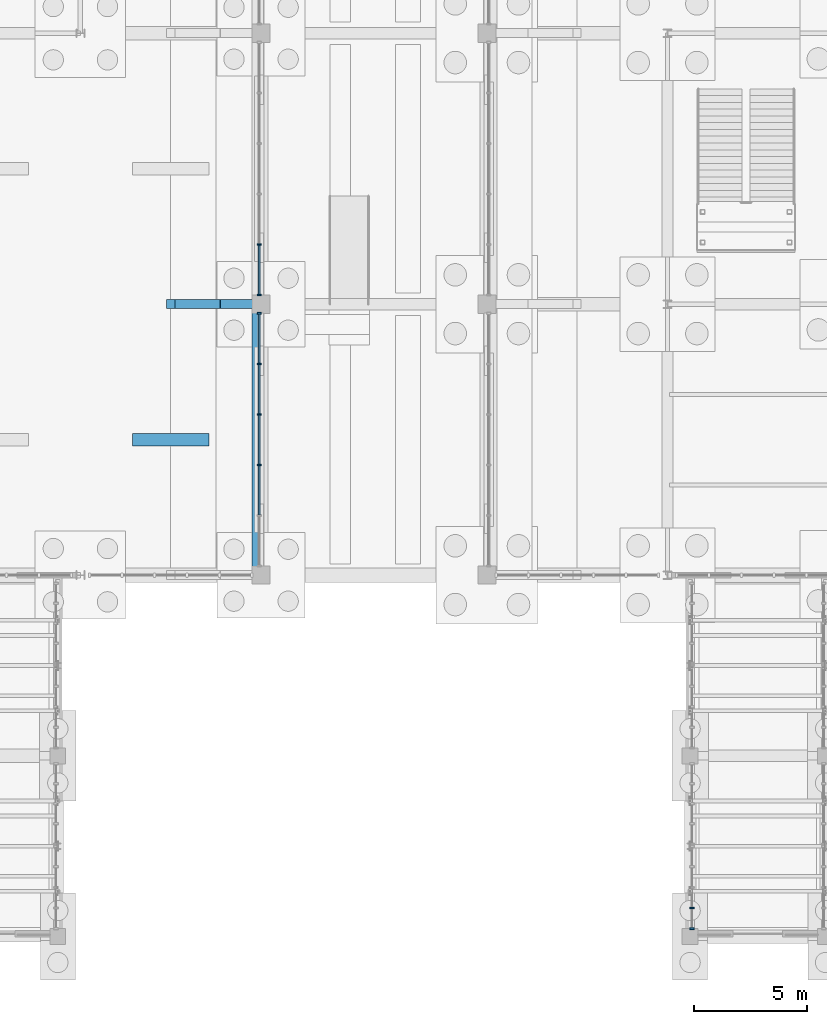
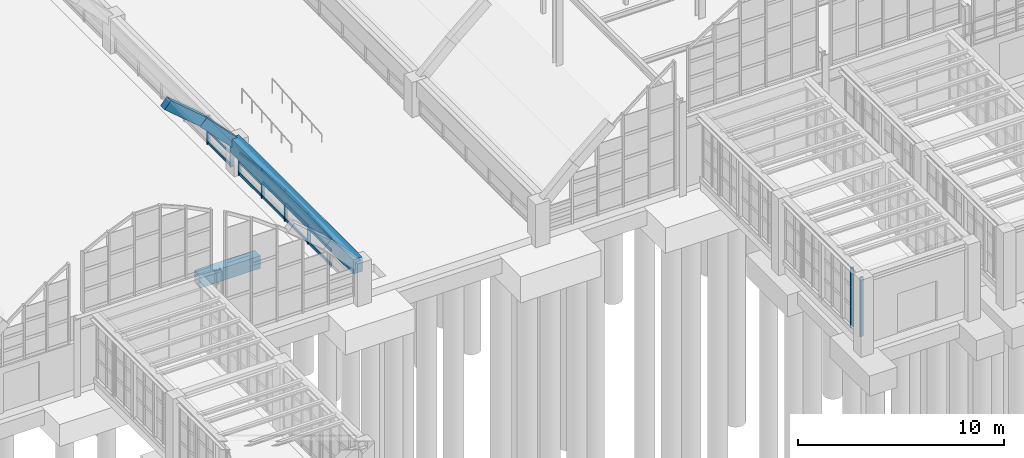
# One storey, part 36 of 129: 23 members, 4 beams, 3 elements without a shape of their own.
"""IFC4 building model written with IfcOpenShell, lengths in metres."""

from ifc_helpers import new_model, si_unit, direction, frame, origin, origin_2d, place, context, subcontext, project, spatial, rectangle, extrude, material, layer, layer_set, material_profile, profile_set, type_object, element, aggregate, save


model = new_model("IFC4")

# Units and contexts
model_context = context("Model", 3, precision=1e-05, world=origin(), true_north=direction((0.0, 1.0)))
body_context = subcontext(model_context, "Body", "Model", "MODEL_VIEW")
ifc_project = project(units=[si_unit("LENGTHUNIT", "METRE"), si_unit("AREAUNIT", "SQUARE_METRE"), si_unit("VOLUMEUNIT", "CUBIC_METRE"), si_unit("PLANEANGLEUNIT", "RADIAN"), si_unit("MASSUNIT", "GRAM", prefix="KILO")], contexts=[model_context])

# Site, building, storey
site_placement = place(None, origin())
site = spatial("IfcSite", under=ifc_project, at=site_placement, CompositionType="ELEMENT")
building_placement = place(site_placement, origin())
building = spatial("IfcBuilding", under=site, at=building_placement, Name="Sitalva Quay Ferry Terminal", CompositionType="ELEMENT")
storey_placement = place(building_placement, origin())
storey = spatial("IfcBuildingStorey", under=building, at=storey_placement, Name="L01", CompositionType="ELEMENT", Elevation=0.0)

# Beams
ifc_material_1 = material(Name="Concrete C40/50", Category="concrete")
ifc_material_profile_1 = material_profile(ifc_material_1, rectangle(XDim=0.39990234375, YDim=0.550048828125, at=origin_2d()), Name="RC400x550")
ifc_profile_set_1 = profile_set([ifc_material_profile_1], Name="Concrete C40/50")
beam_type_1 = type_object("IfcBeamType", Name="Beam_Arch_RC400x550", PredefinedType="BEAM", material=ifc_profile_set_1)
beam_1_placement = place(storey_placement, frame((28.0, 18.0, 5.392822265625), z_axis=(0.761351968138, 0.0, -0.648338785368), x_axis=(0.0, 1.0, 0.0)))
element("IfcBeam", 1, at=beam_1_placement, inside=storey, type_object=beam_type_1, Name="Vault V2 transverse arch rib 2.11", PredefinedType="BEAM", context=body_context, shape_type="SweptSolid", body=[
    extrude(rectangle(XDim=0.39990234375, YDim=0.550048828125, at=origin_2d()), origin(), (0.0, 0.0, 1.0), 2.626953125),
])
beam_2_placement = place(storey_placement, frame((30.0, 18.0, 3.66943359375), z_axis=(0.693983482825, 0.0, -0.719990920475), x_axis=(0.0, 1.0, 0.0)))
element("IfcBeam", 2, at=beam_2_placement, inside=storey, type_object=beam_type_1, Name="Vault V2 transverse arch rib 2.12", PredefinedType="BEAM", context=body_context, shape_type="SweptSolid", body=[
    extrude(rectangle(XDim=0.39990234375, YDim=0.550048828125, at=origin_2d()), origin(), (0.0, 0.0, 1.0), 2.8818359375),
])
ifc_material_2 = material(Name="Concrete C40/50", Category="concrete")
ifc_material_profile_2 = material_profile(ifc_material_2, rectangle(XDim=0.5, YDim=0.85009765625, at=origin_2d()), Name="RC500x850")
ifc_profile_set_2 = profile_set([ifc_material_profile_2], Name="Concrete C40/50")
beam_type_2 = type_object("IfcBeamType", Name="Beam_Edge_RC500x850", PredefinedType="BEAM", material=ifc_profile_set_2)
beam_3_placement = place(storey_placement, frame((31.85009765625, 6.0, 1.675048828125), z_axis=(0.0, 1.0, 0.0), x_axis=(-1.0, 0.0, 0.0)))
element("IfcBeam", 3, at=beam_3_placement, inside=storey, type_object=beam_type_2, Name="Vault V2 longitudinal springing edge beam E bay 1", PredefinedType="BEAM", context=body_context, shape_type="SweptSolid", body=[
    extrude(rectangle(XDim=0.5, YDim=0.85009765625, at=origin_2d()), origin(), (0.0, 0.0, 1.0), 12.0),
])

# Curtain wall, members
ifc_material_3 = material(Name="Anodised Aluminium & Low-E Glazing", Category="aluminium")
ifc_layer_1 = layer(ifc_material_3, 0.159912109375)
ifc_layer_set_1 = layer_set([ifc_layer_1], Name="Anodised Aluminium & Low-E Glazing")
curtain_wall_type_1 = type_object("IfcCurtainWallType", Name="CW_VaultArch_Glazed", PredefinedType="USERDEFINED", material=ifc_layer_set_1)
curtain_wall_1_placement = place(storey_placement, origin())
curtain_wall_1 = element("IfcCurtainWall", 4, at=curtain_wall_1_placement, inside=storey, type_object=curtain_wall_type_1, Name="V2-E shallow-arch base glazing (CW-L01-013)", ObjectType="CURTAIN_WALL", PredefinedType="USERDEFINED")
ifc_material_4 = material(Name="Anodised Aluminium 6063-T6", Category="aluminium")
ifc_material_profile_3 = material_profile(ifc_material_4, rectangle(XDim=0.070068359375, YDim=0.181884765625, at=origin_2d()), Name="ALU70x182")
ifc_profile_set_3 = profile_set([ifc_material_profile_3], Name="Anodised Aluminium 6063-T6")
member_type_1 = type_object("IfcMemberType", Name="Mullion_Alu_65x170", PredefinedType="MULLION", material=ifc_profile_set_3)
member_1_placement = place(storey_placement, frame((31.919921875, 10.8798828125, 0.0), z_axis=(0.0, 0.0, 1.0), x_axis=(0.0, 1.0, 0.0)))
member_1 = element("IfcMember", 5, at=member_1_placement, type_object=member_type_1, Name="CW-L01-013-M2", PredefinedType="MULLION", context=body_context, shape_type="SweptSolid", body=[
    extrude(rectangle(XDim=0.070068359375, YDim=0.181884765625, at=origin_2d()), origin(), (0.0, 0.0, 1.0), 1.86083984375),
])
member_2_placement = place(storey_placement, frame((31.919921875, 13.1201171875, 0.0), z_axis=(0.0, 0.0, 1.0), x_axis=(0.0, 1.0, 0.0)))
member_2 = element("IfcMember", 6, at=member_2_placement, type_object=member_type_1, Name="CW-L01-013-M3", PredefinedType="MULLION", context=body_context, shape_type="SweptSolid", body=[
    extrude(rectangle(XDim=0.070068359375, YDim=0.181884765625, at=origin_2d()), origin(), (0.0, 0.0, 1.0), 1.86083984375),
])
member_3_placement = place(storey_placement, frame((31.919921875, 15.360107421875, 0.0), z_axis=(0.0, 0.0, 1.0), x_axis=(0.0, 1.0, 0.0)))
member_3 = element("IfcMember", 7, at=member_3_placement, type_object=member_type_1, Name="CW-L01-013-M4", PredefinedType="MULLION", context=body_context, shape_type="SweptSolid", body=[
    extrude(rectangle(XDim=0.070068359375, YDim=0.181884765625, at=origin_2d()), origin(), (0.0, 0.0, 1.0), 1.707275390625),
])
member_4_placement = place(storey_placement, frame((31.919921875, 17.60009765625, 0.0), z_axis=(0.0, 0.0, 1.0), x_axis=(0.0, 1.0, 0.0)))
member_4 = element("IfcMember", 8, at=member_4_placement, type_object=member_type_1, Name="CW-L01-013-M5", PredefinedType="MULLION", context=body_context, shape_type="SweptSolid", body=[
    extrude(rectangle(XDim=0.070068359375, YDim=0.181884765625, at=origin_2d()), origin(), (0.0, 0.0, 1.0), 1.39990234375),
])

curtain_wall_2_placement = place(storey_placement, origin())
curtain_wall_2 = element("IfcCurtainWall", 9, at=curtain_wall_2_placement, inside=storey, type_object=curtain_wall_type_1, Name="V2-E shallow-arch base glazing (CW-L01-016)", ObjectType="CURTAIN_WALL", PredefinedType="USERDEFINED")
member_5_placement = place(storey_placement, frame((31.919921875, 18.39990234375, 0.0), z_axis=(0.0, 0.0, 1.0), x_axis=(0.0, 1.0, 0.0)))
member_5 = element("IfcMember", 10, at=member_5_placement, type_object=member_type_1, Name="CW-L01-016-M0", PredefinedType="MULLION", context=body_context, shape_type="SweptSolid", body=[
    extrude(rectangle(XDim=0.070068359375, YDim=0.181884765625, at=origin_2d()), origin(), (0.0, 0.0, 1.0), 1.39990234375),
])
member_6_placement = place(storey_placement, frame((31.919921875, 20.639892578125, 0.0), z_axis=(0.0, 0.0, 1.0), x_axis=(0.0, 1.0, 0.0)))
member_6 = element("IfcMember", 11, at=member_6_placement, type_object=member_type_1, Name="CW-L01-016-M1", PredefinedType="MULLION", context=body_context, shape_type="SweptSolid", body=[
    extrude(rectangle(XDim=0.070068359375, YDim=0.181884765625, at=origin_2d()), origin(), (0.0, 0.0, 1.0), 1.707275390625),
])

ifc_material_5 = material(Name="Anodised Aluminium & Low-E Glazing", Category="aluminium")
ifc_layer_2 = layer(ifc_material_5, 0.159912109375)
ifc_layer_set_2 = layer_set([ifc_layer_2], Name="Anodised Aluminium & Low-E Glazing")
curtain_wall_type_2 = type_object("IfcCurtainWallType", Name="CW_Bridge_Glazed", PredefinedType="USERDEFINED", material=ifc_layer_set_2)
curtain_wall_3_placement = place(storey_placement, origin())
curtain_wall_3 = element("IfcCurtainWall", 12, at=curtain_wall_3_placement, inside=storey, type_object=curtain_wall_type_2, Name="Boarding bridge BB2 W1 side glazing (CW-L01-041)", ObjectType="CURTAIN_WALL", PredefinedType="USERDEFINED")
ifc_material_6 = material(Name="Anodised Aluminium 6063-T6", Category="aluminium")
ifc_material_profile_4 = material_profile(ifc_material_6, rectangle(XDim=0.080078125, YDim=0.18505859375, at=origin_2d()), Name="ALU80x185")
ifc_profile_set_4 = profile_set([ifc_material_profile_4], Name="Anodised Aluminium 6063-T6")
member_type_2 = type_object("IfcMemberType", Name="Mullion_Alu_80x185", PredefinedType="MULLION", material=ifc_profile_set_4)
member_7_placement = place(storey_placement, frame((51.080078125, -9.64990234375, 0.25), z_axis=(0.0, 0.0, 1.0), x_axis=(0.0, 1.0, 0.0)))
member_7 = element("IfcMember", 13, at=member_7_placement, type_object=member_type_2, Name="CW-L01-041-M0", PredefinedType="MULLION", context=body_context, shape_type="SweptSolid", body=[
    extrude(rectangle(XDim=0.080078125, YDim=0.18505859375, at=origin_2d()), origin(), (0.0, 0.0, 1.0), 3.530029296875),
])
member_8_placement = place(storey_placement, frame((51.080078125, -8.737548828125, 0.25), z_axis=(0.0, 0.0, 1.0), x_axis=(0.0, 1.0, 0.0)))
member_8 = element("IfcMember", 14, at=member_8_placement, type_object=member_type_2, Name="CW-L01-041-M1", PredefinedType="MULLION", context=body_context, shape_type="SweptSolid", body=[
    extrude(rectangle(XDim=0.080078125, YDim=0.18505859375, at=origin_2d()), origin(), (0.0, 0.0, 1.0), 3.530029296875),
])
aggregate(curtain_wall_3, [member_7, member_8])

# Beam
ifc_material_7 = material(Name="Concrete C35/45", Category="concrete")
ifc_material_profile_5 = material_profile(ifc_material_7, rectangle(XDim=0.550048828125, YDim=0.75, at=origin_2d()), Name="RC550x750")
ifc_profile_set_5 = profile_set([ifc_material_profile_5], Name="Concrete C35/45")
beam_type_3 = type_object("IfcBeamType", Name="TBeam_Quay_RC550x750", PredefinedType="T_BEAM", material=ifc_profile_set_5)
beam_4_placement = place(storey_placement, frame((26.300048828125, 12.0, -0.824951171875), z_axis=(1.0, 0.0, 0.0), x_axis=(0.0, 1.0, 0.0)))
element("IfcBeam", 15, at=beam_4_placement, inside=storey, type_object=beam_type_3, Name="L01 Quay deck mid-bay T-beam 0037", PredefinedType="T_BEAM", context=body_context, shape_type="SweptSolid", body=[
    extrude(rectangle(XDim=0.550048828125, YDim=0.75, at=origin_2d()), origin(), (0.0, 0.0, 1.0), 3.39990234375),
])

# Member
ifc_material_8 = material(Name="Anodised Aluminium 6063-T6", Category="aluminium")
ifc_material_profile_6 = material_profile(ifc_material_8, rectangle(XDim=0.074951171875, YDim=0.155029296875, at=origin_2d()), Name="ALU75x155")
ifc_profile_set_6 = profile_set([ifc_material_profile_6], Name="Anodised Aluminium 6063-T6")
member_type_3 = type_object("IfcMemberType", Name="Transom_Alu_70x135", PredefinedType="MULLION", material=ifc_profile_set_6)
member_9_placement = place(storey_placement, frame((31.919921875, 8.675048828125, 0.077392578125), z_axis=(0.0, 1.0, 0.0), x_axis=(-1.0, 0.0, 0.0)))
member_9 = element("IfcMember", 16, at=member_9_placement, type_object=member_type_3, Name="CW-L01-013-T1-0", ObjectType="TRANSOM", PredefinedType="USERDEFINED", context=body_context, shape_type="SweptSolid", body=[
    extrude(rectangle(XDim=0.074951171875, YDim=0.155029296875, at=origin_2d()), origin(), (0.0, 0.0, 1.0), 2.169921875),
])

member_10_placement = place(storey_placement, frame((31.919921875, 8.675048828125, 0.93115234375), z_axis=(0.0, 1.0, 0.0), x_axis=(-1.0, 0.0, 0.0)))
member_10 = element("IfcMember", 17, at=member_10_placement, type_object=member_type_3, Name="CW-L01-013-T1-1", ObjectType="TRANSOM", PredefinedType="USERDEFINED", context=body_context, shape_type="SweptSolid", body=[
    extrude(rectangle(XDim=0.074951171875, YDim=0.155029296875, at=origin_2d()), origin(), (0.0, 0.0, 1.0), 2.169921875),
])

member_11_placement = place(storey_placement, frame((31.919921875, 8.675048828125, 1.629638671875), z_axis=(0.0, 0.997505200677, 0.070593021065), x_axis=(-1.0, 0.0, 0.0)))
member_11 = element("IfcMember", 18, at=member_11_placement, type_object=member_type_3, Name="CW-L01-013-T1-2", ObjectType="TRANSOM", PredefinedType="USERDEFINED", context=body_context, shape_type="SweptSolid", body=[
    extrude(rectangle(XDim=0.074951171875, YDim=0.155029296875, at=origin_2d()), origin(), (0.0, 0.0, 1.0), 2.17529296875),
])

member_12_placement = place(storey_placement, frame((31.919921875, 10.9150390625, 0.077392578125), z_axis=(0.0, 1.0, 0.0), x_axis=(-1.0, 0.0, 0.0)))
member_12 = element("IfcMember", 19, at=member_12_placement, type_object=member_type_3, Name="CW-L01-013-T2-0", ObjectType="TRANSOM", PredefinedType="USERDEFINED", context=body_context, shape_type="SweptSolid", body=[
    extrude(rectangle(XDim=0.074951171875, YDim=0.155029296875, at=origin_2d()), origin(), (0.0, 0.0, 1.0), 2.169921875),
])

member_13_placement = place(storey_placement, frame((31.919921875, 10.9150390625, 1.0078125), z_axis=(0.0, 1.0, 0.0), x_axis=(-1.0, 0.0, 0.0)))
member_13 = element("IfcMember", 20, at=member_13_placement, type_object=member_type_3, Name="CW-L01-013-T2-1", ObjectType="TRANSOM", PredefinedType="USERDEFINED", context=body_context, shape_type="SweptSolid", body=[
    extrude(rectangle(XDim=0.074951171875, YDim=0.155029296875, at=origin_2d()), origin(), (0.0, 0.0, 1.0), 2.169921875),
])

member_14_placement = place(storey_placement, frame((31.919921875, 10.9150390625, 1.783203125), z_axis=(0.0, 1.0, 0.0), x_axis=(-1.0, 0.0, 0.0)))
member_14 = element("IfcMember", 21, at=member_14_placement, type_object=member_type_3, Name="CW-L01-013-T2-2", ObjectType="TRANSOM", PredefinedType="USERDEFINED", context=body_context, shape_type="SweptSolid", body=[
    extrude(rectangle(XDim=0.074951171875, YDim=0.155029296875, at=origin_2d()), origin(), (0.0, 0.0, 1.0), 2.169921875),
])

member_15_placement = place(storey_placement, frame((31.919921875, 13.155029296875, 0.077392578125), z_axis=(0.0, 1.0, 0.0), x_axis=(-1.0, 0.0, 0.0)))
member_15 = element("IfcMember", 22, at=member_15_placement, type_object=member_type_3, Name="CW-L01-013-T3-0", ObjectType="TRANSOM", PredefinedType="USERDEFINED", context=body_context, shape_type="SweptSolid", body=[
    extrude(rectangle(XDim=0.074951171875, YDim=0.155029296875, at=origin_2d()), origin(), (0.0, 0.0, 1.0), 2.169921875),
])

member_16_placement = place(storey_placement, frame((31.919921875, 13.155029296875, 0.93115234375), z_axis=(0.0, 1.0, 0.0), x_axis=(-1.0, 0.0, 0.0)))
member_16 = element("IfcMember", 23, at=member_16_placement, type_object=member_type_3, Name="CW-L01-013-T3-1", ObjectType="TRANSOM", PredefinedType="USERDEFINED", context=body_context, shape_type="SweptSolid", body=[
    extrude(rectangle(XDim=0.074951171875, YDim=0.155029296875, at=origin_2d()), origin(), (0.0, 0.0, 1.0), 2.169921875),
])

member_17_placement = place(storey_placement, frame((31.919921875, 13.155029296875, 1.783203125), z_axis=(0.0, 0.997505200677, -0.070593021065), x_axis=(-1.0, 0.0, 0.0)))
member_17 = element("IfcMember", 24, at=member_17_placement, type_object=member_type_3, Name="CW-L01-013-T3-2", ObjectType="TRANSOM", PredefinedType="USERDEFINED", context=body_context, shape_type="SweptSolid", body=[
    extrude(rectangle(XDim=0.074951171875, YDim=0.155029296875, at=origin_2d()), origin(), (0.0, 0.0, 1.0), 2.17529296875),
])

member_18_placement = place(storey_placement, frame((31.919921875, 15.39501953125, 0.077392578125), z_axis=(0.0, 1.0, 0.0), x_axis=(-1.0, 0.0, 0.0)))
member_18 = element("IfcMember", 25, at=member_18_placement, type_object=member_type_3, Name="CW-L01-013-T4-0", ObjectType="TRANSOM", PredefinedType="USERDEFINED", context=body_context, shape_type="SweptSolid", body=[
    extrude(rectangle(XDim=0.074951171875, YDim=0.155029296875, at=origin_2d()), origin(), (0.0, 0.0, 1.0), 2.169921875),
])

member_19_placement = place(storey_placement, frame((31.919921875, 15.39501953125, 0.777587890625), z_axis=(0.0, 1.0, 0.0), x_axis=(-1.0, 0.0, 0.0)))
member_19 = element("IfcMember", 26, at=member_19_placement, type_object=member_type_3, Name="CW-L01-013-T4-1", ObjectType="TRANSOM", PredefinedType="USERDEFINED", context=body_context, shape_type="SweptSolid", body=[
    extrude(rectangle(XDim=0.074951171875, YDim=0.155029296875, at=origin_2d()), origin(), (0.0, 0.0, 1.0), 2.169921875),
])

member_20_placement = place(storey_placement, frame((31.919921875, 15.39501953125, 1.629638671875), z_axis=(0.0, 0.990131365095, -0.140142355681), x_axis=(-1.0, 0.0, 0.0)))
member_20 = element("IfcMember", 27, at=member_20_placement, type_object=member_type_3, Name="CW-L01-013-T4-2", ObjectType="TRANSOM", PredefinedType="USERDEFINED", context=body_context, shape_type="SweptSolid", body=[
    extrude(rectangle(XDim=0.074951171875, YDim=0.155029296875, at=origin_2d()), origin(), (0.0, 0.0, 1.0), 2.191650390625),
])

aggregate(curtain_wall_1, [member_1, member_2, member_3, member_4, member_9, member_10, member_11, member_12, member_13, member_14, member_15, member_16, member_17, member_18, member_19, member_20])

member_21_placement = place(storey_placement, frame((31.919921875, 18.43505859375, 0.077392578125), z_axis=(0.0, 1.0, 0.0), x_axis=(-1.0, 0.0, 0.0)))
member_21 = element("IfcMember", 28, at=member_21_placement, type_object=member_type_3, Name="CW-L01-016-T0-0", ObjectType="TRANSOM", PredefinedType="USERDEFINED", context=body_context, shape_type="SweptSolid", body=[
    extrude(rectangle(XDim=0.074951171875, YDim=0.155029296875, at=origin_2d()), origin(), (0.0, 0.0, 1.0), 2.169921875),
])

member_22_placement = place(storey_placement, frame((31.919921875, 18.43505859375, 0.777587890625), z_axis=(0.0, 1.0, 0.0), x_axis=(-1.0, 0.0, 0.0)))
member_22 = element("IfcMember", 29, at=member_22_placement, type_object=member_type_3, Name="CW-L01-016-T0-1", ObjectType="TRANSOM", PredefinedType="USERDEFINED", context=body_context, shape_type="SweptSolid", body=[
    extrude(rectangle(XDim=0.074951171875, YDim=0.155029296875, at=origin_2d()), origin(), (0.0, 0.0, 1.0), 2.169921875),
])

member_23_placement = place(storey_placement, frame((31.919921875, 18.43505859375, 1.322509765625), z_axis=(0.0, 0.990131365095, 0.140142355681), x_axis=(-1.0, 0.0, 0.0)))
member_23 = element("IfcMember", 30, at=member_23_placement, type_object=member_type_3, Name="CW-L01-016-T0-2", ObjectType="TRANSOM", PredefinedType="USERDEFINED", context=body_context, shape_type="SweptSolid", body=[
    extrude(rectangle(XDim=0.074951171875, YDim=0.155029296875, at=origin_2d()), origin(), (0.0, 0.0, 1.0), 2.191650390625),
])

aggregate(curtain_wall_2, [member_5, member_6, member_21, member_22, member_23])

save(model, "model.ifc")
